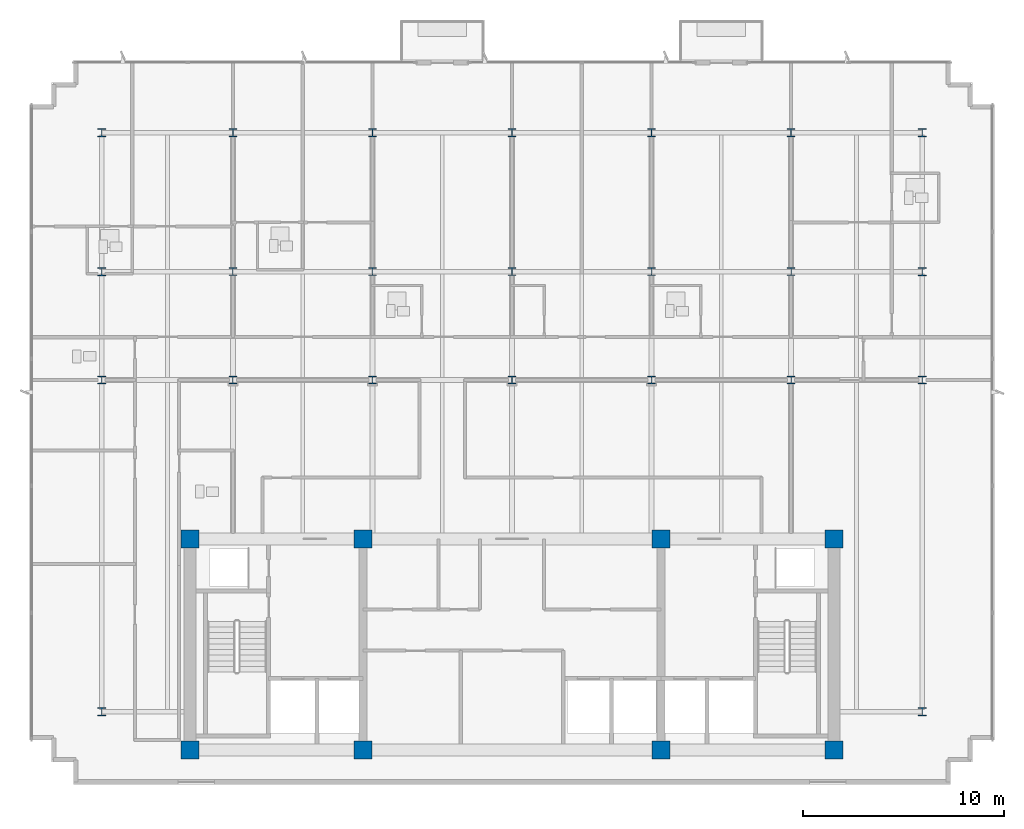
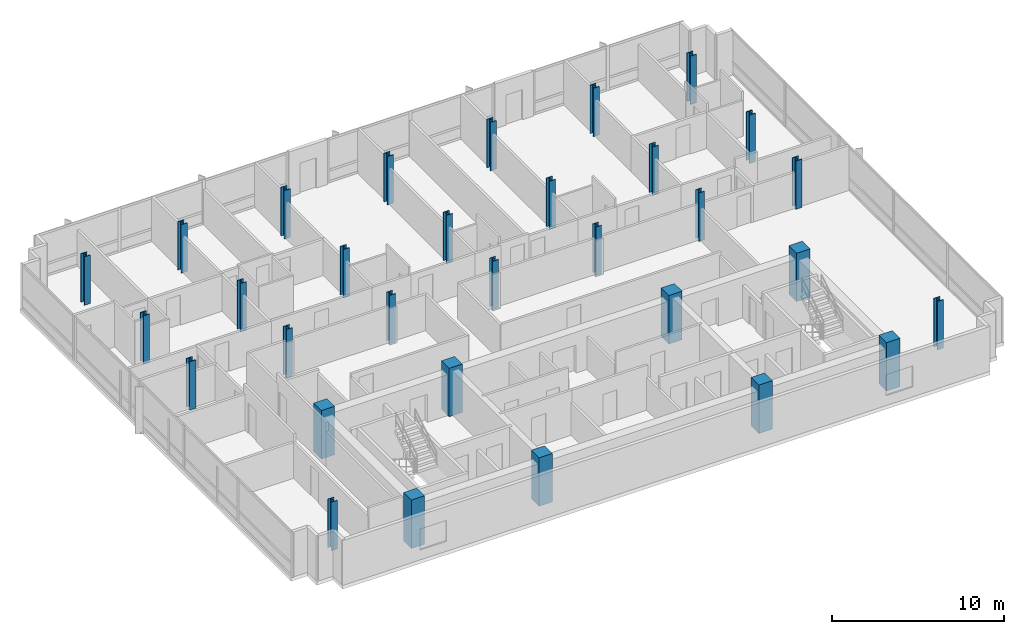
# One storey, part 1 of 14: 31 columns.
"""IFC4 building model written with IfcOpenShell, lengths in metres."""

import ifcopenshell
import ifcopenshell.guid

model = None  # the IFC model being written
_history = None  # IfcOwnerHistory: only IFC2X3 demands one
_inside = {}  # id of a spatial element -> (the spatial element, [elements in it])
_under = {}  # id of a project, library or spatial element -> (it, [spatial elements below it])
_declared = {}  # id of a project -> (the project, [libraries it declares])
_typed = {}  # id of a type object -> (the type object, [elements of that type])
_made_of = {}  # id of a material, layer set ... -> (it, [elements and type objects made of it])


def new_model(schema):
    """Start an empty IFC model of exactly this schema.

    Asked for "IFC4X3", IfcOpenShell would pick the latest addendum, in which some entities
    have other attributes; the version numbers below select the first issue.
    IFC2X3 requires an IfcOwnerHistory on every rooted entity: one is made here for all.
    """
    global model, _history
    if schema == "IFC4X3":
        model = ifcopenshell.file(schema_version=(4, 3, 0, 0))
    else:
        model = ifcopenshell.file(schema=schema)
    _inside.clear()
    _under.clear()
    _declared.clear()
    _typed.clear()
    _made_of.clear()
    _history = None
    if model.schema == "IFC2X3":
        org = make("IfcOrganization", Name="unknown")
        user = make(
            "IfcPersonAndOrganization",
            ThePerson=make("IfcPerson", FamilyName="unknown"),
            TheOrganization=org,
        )
        app = make(
            "IfcApplication",
            ApplicationDeveloper=org,
            Version="unknown",
            ApplicationFullName="unknown",
            ApplicationIdentifier="unknown",
        )
        _history = make(
            "IfcOwnerHistory",
            OwningUser=user,
            OwningApplication=app,
            ChangeAction="ADDED",
            CreationDate=0,
        )
    return model


def make(cls, **values):
    """One entity of the class cls with the attributes given. An attribute that is None is left unset."""
    return model.create_entity(
        cls, **{name: value for name, value in values.items() if value is not None}
    )


def rooted(cls, **values):
    """An entity with a GlobalId (a new one), such as an element, a storey or a relation."""
    return make(cls, GlobalId=ifcopenshell.guid.new(), OwnerHistory=_history, **values)


def si_unit(unit_type, name, prefix=None):
    """IfcSIUnit, for example si_unit("LENGTHUNIT", "METRE", prefix="MILLI")."""
    return make("IfcSIUnit", UnitType=unit_type, Prefix=prefix, Name=name)


def assignment(units):
    """IfcUnitAssignment: the units of a project."""
    return None if units is None else make("IfcUnitAssignment", Units=units)


def point(xyz):
    """IfcCartesianPoint."""
    return None if xyz is None else make("IfcCartesianPoint", Coordinates=xyz)


def direction(xyz):
    """IfcDirection."""
    return None if xyz is None else make("IfcDirection", DirectionRatios=xyz)


def frame(location, z_axis=None, x_axis=None):
    """IfcAxis2Placement3D, a coordinate frame: its origin and axes. An axis left out is left unset."""
    return make(
        "IfcAxis2Placement3D",
        Location=point(location),
        Axis=direction(z_axis),
        RefDirection=direction(x_axis),
    )


def frame_2d(location, x_axis=None):
    """IfcAxis2Placement2D, a coordinate frame in the plane: its origin and x axis."""
    return make(
        "IfcAxis2Placement2D", Location=point(location), RefDirection=direction(x_axis)
    )


def origin():
    """The frame at (0, 0, 0) with its axes left unset."""
    return frame((0.0, 0.0, 0.0))


def origin_2d():
    """The frame at (0, 0) in the plane with its x axis left unset."""
    return frame_2d((0.0, 0.0))


def place(relative_to, where):
    """IfcLocalPlacement: puts the frame where relative to a parent placement (None: the world)."""
    return make(
        "IfcLocalPlacement", PlacementRelTo=relative_to, RelativePlacement=where
    )


def context(
    kind, dimensions, precision=None, world=None, true_north=None, identifier=None
):
    """IfcGeometricRepresentationContext, for example the 3D "Model" context."""
    return make(
        "IfcGeometricRepresentationContext",
        ContextIdentifier=identifier,
        ContextType=kind,
        CoordinateSpaceDimension=dimensions,
        Precision=precision,
        WorldCoordinateSystem=world,
        TrueNorth=true_north,
    )


def subcontext(parent, identifier, kind, view, scale=None):
    """IfcGeometricRepresentationSubContext, for example "Body" below "Model"."""
    return make(
        "IfcGeometricRepresentationSubContext",
        ContextIdentifier=identifier,
        ContextType=kind,
        ParentContext=parent,
        TargetScale=scale,
        TargetView=view,
    )


def project(units=None, contexts=None):
    """IfcProject with its units and contexts."""
    return rooted(
        "IfcProject",
        Name="project",
        RepresentationContexts=contexts,
        UnitsInContext=assignment(units),
    )


def spatial(cls, under=None, at=None, **own):
    """A site, building, storey or space (cls), placed at a placement, below another one or the project."""
    s = rooted(cls, ObjectPlacement=at, **own)
    if under is not None:
        _under.setdefault(under.id(), (under, []))[1].append(s)
    return s


def profile(cls, at=None, kind="AREA", **sizes):
    """A parametric profile (cls). Its sizes go by their IFC names, for example OverallWidth=200.0."""
    return make(cls, ProfileType=kind, Position=at, **sizes)


def rectangle(**sizes):
    """IfcRectangleProfileDef."""
    return profile("IfcRectangleProfileDef", **sizes)


def i_section(**sizes):
    """IfcIShapeProfileDef."""
    return profile("IfcIShapeProfileDef", **sizes)


def extrude(swept, where, along, depth):
    """IfcExtrudedAreaSolid: the profile swept, set in the frame where, extruded along a direction by depth."""
    return make(
        "IfcExtrudedAreaSolid",
        SweptArea=swept,
        Position=where,
        ExtrudedDirection=direction(along),
        Depth=depth,
    )


def shape(context_of_items, identifier, shape_type, items):
    """IfcShapeRepresentation: the items that make up one representation, for example the "Body"."""
    return make(
        "IfcShapeRepresentation",
        ContextOfItems=context_of_items,
        RepresentationIdentifier=identifier,
        RepresentationType=shape_type,
        Items=items,
    )


def material(Name=None, Category=None):
    """IfcMaterial."""
    return make("IfcMaterial", Name=Name, Category=Category)


def material_profile(
    of_material, cross_section, Name=None, Category=None, Priority=None
):
    """IfcMaterialProfile: a cross section and its material."""
    return make(
        "IfcMaterialProfile",
        Name=Name,
        Material=of_material,
        Profile=cross_section,
        Priority=Priority,
        Category=Category,
    )


def profile_set(profiles, Name=None, composite=None):
    """IfcMaterialProfileSet."""
    return make(
        "IfcMaterialProfileSet",
        Name=Name,
        MaterialProfiles=profiles,
        CompositeProfile=composite,
    )


def made_of(thing, what):
    """Note that an element or type object is made of a material, layer set ...; save() writes the relation."""
    if what is not None:
        _made_of.setdefault(what.id(), (what, []))[1].append(thing)
    return thing


def type_object(cls, material=None, **own):
    """A type object (cls), such as IfcWallType, which elements share."""
    return made_of(rooted(cls, **own), material)


def element(
    cls,
    number,
    at=None,
    inside=None,
    cuts=None,
    type_object=None,
    material=None,
    context=None,
    identifier="Body",
    shape_type=None,
    held_by="IfcProductDefinitionShape",
    body=None,
    shapes=None,
    **own,
):
    """One element of the class cls, such as IfcWall. Its Tag is "e" and its number.

    at: its placement. inside: the storey or other place that contains it. cuts: it is an
    opening in that element (IfcRelVoidsElement). A single representation is given by context,
    identifier, shape_type and body (its items); several are given by shapes. held_by: the class
    of the entity that holds the representations. save() writes the other relations.
    """
    e = rooted(cls, Tag="e%d" % number, ObjectPlacement=at, **own)
    if body is not None:
        shapes = [shape(context, identifier, shape_type, body)]
    if shapes is not None:
        e.Representation = make(held_by, Representations=shapes)
    if inside is not None:
        _inside.setdefault(inside.id(), (inside, []))[1].append(e)
    if cuts is not None:
        rooted(
            "IfcRelVoidsElement", RelatingBuildingElement=cuts, RelatedOpeningElement=e
        )
    if type_object is not None:
        _typed.setdefault(type_object.id(), (type_object, []))[1].append(e)
    return made_of(e, material)


def aggregate(whole, parts):
    """IfcRelAggregates: a whole, such as a stair, and the parts it consists of."""
    return rooted("IfcRelAggregates", RelatingObject=whole, RelatedObjects=parts)


def save(model, path):
    """Write the relations noted so far, then the file.

    IfcRelAggregates (storeys below a building ...), IfcRelContainedInSpatialStructure (elements
    in a storey), IfcRelDefinesByType, IfcRelAssociatesMaterial and IfcRelDeclares: one each for
    every whole, place, type object, material and project.
    """
    for whole, parts in _under.values():
        aggregate(whole, parts)
    for where, things in _inside.values():
        rooted(
            "IfcRelContainedInSpatialStructure",
            RelatedElements=things,
            RelatingStructure=where,
        )
    for kind, things in _typed.values():
        rooted("IfcRelDefinesByType", RelatedObjects=things, RelatingType=kind)
    for what, things in _made_of.values():
        rooted("IfcRelAssociatesMaterial", RelatedObjects=things, RelatingMaterial=what)
    for by, libraries in _declared.values():
        rooted("IfcRelDeclares", RelatingContext=by, RelatedDefinitions=libraries)
    model.write(path)


model = new_model("IFC4")

# Units and contexts
model_context = context("Model", 3, precision=1e-05, world=origin(), true_north=direction((0.0, 1.0)))
body_context = subcontext(model_context, "Body", "Model", "MODEL_VIEW")
ifc_project = project(units=[si_unit("LENGTHUNIT", "METRE"), si_unit("AREAUNIT", "SQUARE_METRE"), si_unit("VOLUMEUNIT", "CUBIC_METRE"), si_unit("PLANEANGLEUNIT", "RADIAN"), si_unit("MASSUNIT", "GRAM", prefix="KILO")], contexts=[model_context])

# Site, building, storey
site_placement = place(None, origin())
site = spatial("IfcSite", under=ifc_project, at=site_placement, CompositionType="ELEMENT")
building_placement = place(site_placement, origin())
building = spatial("IfcBuilding", under=site, at=building_placement, Name="Solmavex Isthmus Hotel", CompositionType="ELEMENT")
storey_placement = place(building_placement, frame((0.0, 0.0, 255.75)))
storey = spatial("IfcBuildingStorey", under=building, at=storey_placement, Name="L69", CompositionType="ELEMENT", Elevation=255.75)

# Columns
ifc_material_1 = material(Name="Concrete C50/60", Category="concrete")
ifc_material_profile_1 = material_profile(ifc_material_1, rectangle(XDim=0.89990234375, YDim=0.89990234375, at=origin_2d()), Name="RC900X900")
ifc_profile_set_1 = profile_set([ifc_material_profile_1], Name="Concrete C50/60")
column_type_1 = type_object("IfcColumnType", Name="COL-CC-900", PredefinedType="COLUMN", material=ifc_profile_set_1)
for number, where, z_axis, x_axis, name in (
    (1, (-16.0, -13.0, 0.0), (0.0, 0.0, 1.0), (1.0, 0.0, 0.0), "Core Pilaster CC-SW L69"),
    (2, (-7.39990234375, -13.0, 0.0), (0.0, 0.0, 1.0), (1.0, 0.0, 0.0), "Core Pilaster CC-S1 L69"),
    (3, (7.39990234375, -13.0, 0.0), (0.0, 0.0, 1.0), (1.0, 0.0, 0.0), "Core Pilaster CC-S2 L69"),
    (4, (16.0, -13.0, 0.0), (0.0, 0.0, 1.0), (1.0, 0.0, 0.0), "Core Pilaster CC-SE L69"),
    (5, (-16.0, -2.5, 0.0), (0.0, 0.0, 1.0), (1.0, 0.0, 0.0), "Core Pilaster CC-NW L69"),
    (6, (-7.39990234375, -2.5, 0.0), (0.0, 0.0, 1.0), (1.0, 0.0, 0.0), "Core Pilaster CC-N1 L69"),
    (7, (7.39990234375, -2.5, 0.0), (0.0, 0.0, 1.0), (1.0, 0.0, 0.0), "Core Pilaster CC-N2 L69"),
    (8, (16.0, -2.5, 0.0), (0.0, 0.0, 1.0), (1.0, 0.0, 0.0), "Core Pilaster CC-NE L69"),
):
    element("IfcColumn", number, at=place(storey_placement, frame(where, z_axis=z_axis, x_axis=x_axis)), inside=storey, type_object=column_type_1, Name=name, PredefinedType="COLUMN", context=body_context, shape_type="SweptSolid", body=[
        extrude(rectangle(XDim=0.89990234375, YDim=0.89990234375, at=origin_2d()), origin(), (0.0, 0.0, 1.0), 3.449951171875),
    ])
ifc_material_2 = material(Name="Steel ASTM A913 Grade 65", Category="steel")
ifc_material_profile_2 = material_profile(ifc_material_2, i_section(OverallWidth=0.4013671875, OverallDepth=0.3994140625, WebThickness=0.02490234375, FlangeThickness=0.03955078125, FilletRadius=0.030517578125, at=origin_2d()), Name="W14X211")
ifc_profile_set_2 = profile_set([ifc_material_profile_2], Name="Steel ASTM A913 Grade 65")
column_type_2 = type_object("IfcColumnType", Name="COL-SC-W14X211", PredefinedType="COLUMN", material=ifc_profile_set_2)
for number, where, z_axis, x_axis, name in (
    (9, (-13.8720703125, 5.39990234375, 0.0), (0.0, 0.0, 1.0), (1.0, 0.0, 0.0), "Tower Column B5-U2V2 L69"),
    (10, (-13.8720703125, 10.7880859375, 0.0), (0.0, 0.0, 1.0), (1.0, 0.0, 0.0), "Tower Column B5-U2V3 L69"),
    (11, (-6.93603515625, 5.39990234375, 0.0), (0.0, 0.0, 1.0), (1.0, 0.0, 0.0), "Tower Column B5-U3V2 L69"),
    (12, (-6.93603515625, 10.7880859375, 0.0), (0.0, 0.0, 1.0), (1.0, 0.0, 0.0), "Tower Column B5-U3V3 L69"),
    (13, (0.0, 5.39990234375, 0.0), (0.0, 0.0, 1.0), (1.0, 0.0, 0.0), "Tower Column B5-U4V2 L69"),
    (14, (0.0, 10.7880859375, 0.0), (0.0, 0.0, 1.0), (1.0, 0.0, 0.0), "Tower Column B5-U4V3 L69"),
    (15, (6.93603515625, 5.39990234375, 0.0), (0.0, 0.0, 1.0), (1.0, 0.0, 0.0), "Tower Column B5-U5V2 L69"),
    (16, (6.93603515625, 10.7880859375, 0.0), (0.0, 0.0, 1.0), (1.0, 0.0, 0.0), "Tower Column B5-U5V3 L69"),
    (17, (13.8720703125, 5.39990234375, 0.0), (0.0, 0.0, 1.0), (1.0, 0.0, 0.0), "Tower Column B5-U6V2 L69"),
    (18, (13.8720703125, 10.7880859375, 0.0), (0.0, 0.0, 1.0), (1.0, 0.0, 0.0), "Tower Column B5-U6V3 L69"),
):
    element("IfcColumn", number, at=place(storey_placement, frame(where, z_axis=z_axis, x_axis=x_axis)), inside=storey, type_object=column_type_2, Name=name, PredefinedType="COLUMN", context=body_context, shape_type="SweptSolid", body=[
        extrude(i_section(OverallWidth=0.4013671875, OverallDepth=0.3994140625, WebThickness=0.02490234375, FlangeThickness=0.03955078125, FilletRadius=0.030517578125, at=origin_2d()), origin(), (0.0, 0.0, 1.0), 3.449951171875),
    ])
ifc_material_profile_3 = material_profile(ifc_material_2, i_section(OverallWidth=0.40625, OverallDepth=0.416015625, WebThickness=0.02978515625, FlangeThickness=0.048095703125, FilletRadius=0.030517578125, at=origin_2d()), Name="W14X257")
ifc_profile_set_3 = profile_set([ifc_material_profile_3], Name="Steel ASTM A913 Grade 65")
column_type_3 = type_object("IfcColumnType", Name="COL-SC-W14X257", PredefinedType="COLUMN", material=ifc_profile_set_3)
for number, where, z_axis, x_axis, name in (
    (19, (-20.39990234375, -11.10009765625, 0.0), (0.0, 0.0, 1.0), (1.0, 0.0, 0.0), "Tower Column B5-U1V1 L69"),
    (20, (-20.39990234375, 5.39990234375, 0.0), (0.0, 0.0, 1.0), (1.0, 0.0, 0.0), "Tower Column B5-U1V2 L69"),
    (21, (-20.39990234375, 10.7880859375, 0.0), (0.0, 0.0, 1.0), (1.0, 0.0, 0.0), "Tower Column B5-U1V3 L69"),
    (22, (-20.39990234375, 17.699951171875, 0.0), (0.0, 0.0, 1.0), (1.0, 0.0, 0.0), "Tower Column B5-U1V4 L69"),
    (23, (-13.8720703125, 17.699951171875, 0.0), (0.0, 0.0, 1.0), (1.0, 0.0, 0.0), "Tower Column B5-U2V4 L69"),
    (24, (-6.93603515625, 17.699951171875, 0.0), (0.0, 0.0, 1.0), (1.0, 0.0, 0.0), "Tower Column B5-U3V4 L69"),
    (25, (0.0, 17.699951171875, 0.0), (0.0, 0.0, 1.0), (1.0, 0.0, 0.0), "Tower Column B5-U4V4 L69"),
    (26, (6.93603515625, 17.699951171875, 0.0), (0.0, 0.0, 1.0), (1.0, 0.0, 0.0), "Tower Column B5-U5V4 L69"),
    (27, (13.8720703125, 17.699951171875, 0.0), (0.0, 0.0, 1.0), (1.0, 0.0, 0.0), "Tower Column B5-U6V4 L69"),
    (28, (20.39990234375, -11.10009765625, 0.0), (0.0, 0.0, 1.0), (1.0, 0.0, 0.0), "Tower Column B5-U7V1 L69"),
    (29, (20.39990234375, 5.39990234375, 0.0), (0.0, 0.0, 1.0), (1.0, 0.0, 0.0), "Tower Column B5-U7V2 L69"),
    (30, (20.39990234375, 10.7880859375, 0.0), (0.0, 0.0, 1.0), (1.0, 0.0, 0.0), "Tower Column B5-U7V3 L69"),
    (31, (20.39990234375, 17.699951171875, 0.0), (0.0, 0.0, 1.0), (1.0, 0.0, 0.0), "Tower Column B5-U7V4 L69"),
):
    element("IfcColumn", number, at=place(storey_placement, frame(where, z_axis=z_axis, x_axis=x_axis)), inside=storey, type_object=column_type_3, Name=name, PredefinedType="COLUMN", context=body_context, shape_type="SweptSolid", body=[
        extrude(i_section(OverallWidth=0.40625, OverallDepth=0.416015625, WebThickness=0.02978515625, FlangeThickness=0.048095703125, FilletRadius=0.030517578125, at=origin_2d()), origin(), (0.0, 0.0, 1.0), 3.449951171875),
    ])

save(model, "model.ifc")
